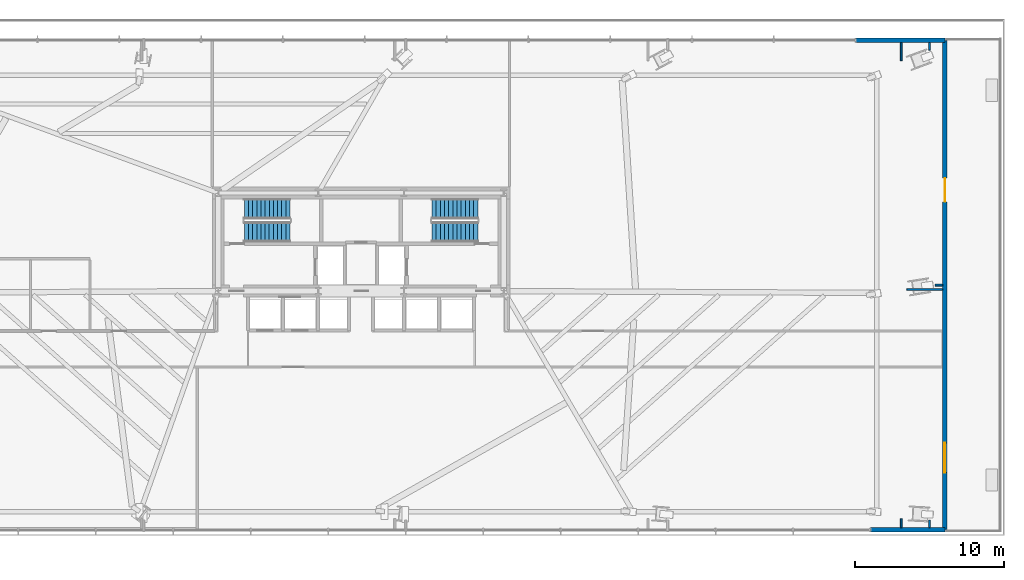
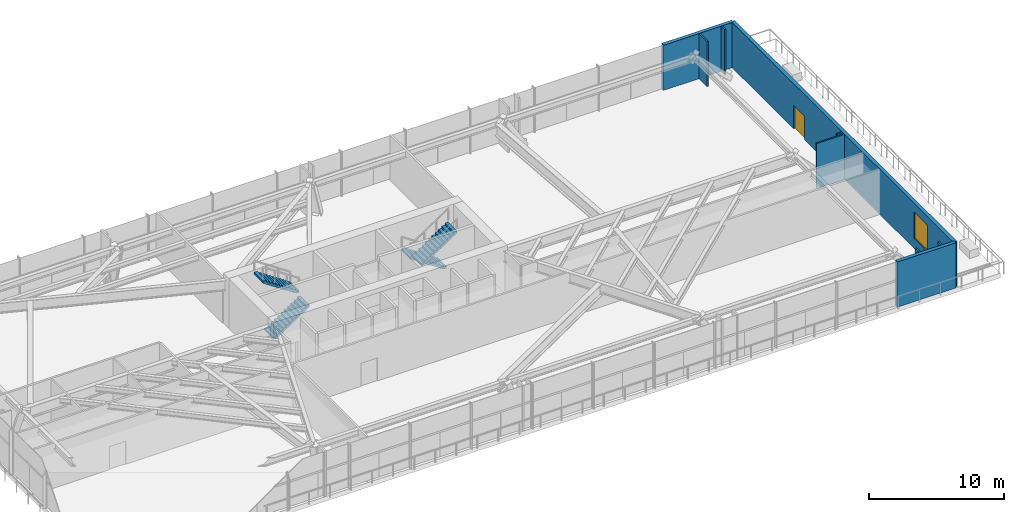
# One storey, part 27 of 33: 9 walls, 4 stair flights, 1 door, 1 window, 2 openings, 2 elements without a shape of their own.
"""IFC4 building model written with IfcOpenShell, lengths in metres."""

import ifcopenshell
import ifcopenshell.guid

model = None  # the IFC model being written
_history = None  # IfcOwnerHistory: only IFC2X3 demands one
_inside = {}  # id of a spatial element -> (the spatial element, [elements in it])
_under = {}  # id of a project, library or spatial element -> (it, [spatial elements below it])
_declared = {}  # id of a project -> (the project, [libraries it declares])
_typed = {}  # id of a type object -> (the type object, [elements of that type])
_made_of = {}  # id of a material, layer set ... -> (it, [elements and type objects made of it])


def new_model(schema):
    """Start an empty IFC model of exactly this schema.

    Asked for "IFC4X3", IfcOpenShell would pick the latest addendum, in which some entities
    have other attributes; the version numbers below select the first issue.
    IFC2X3 requires an IfcOwnerHistory on every rooted entity: one is made here for all.
    """
    global model, _history
    if schema == "IFC4X3":
        model = ifcopenshell.file(schema_version=(4, 3, 0, 0))
    else:
        model = ifcopenshell.file(schema=schema)
    _inside.clear()
    _under.clear()
    _declared.clear()
    _typed.clear()
    _made_of.clear()
    _history = None
    if model.schema == "IFC2X3":
        org = make("IfcOrganization", Name="unknown")
        user = make(
            "IfcPersonAndOrganization",
            ThePerson=make("IfcPerson", FamilyName="unknown"),
            TheOrganization=org,
        )
        app = make(
            "IfcApplication",
            ApplicationDeveloper=org,
            Version="unknown",
            ApplicationFullName="unknown",
            ApplicationIdentifier="unknown",
        )
        _history = make(
            "IfcOwnerHistory",
            OwningUser=user,
            OwningApplication=app,
            ChangeAction="ADDED",
            CreationDate=0,
        )
    return model


def make(cls, **values):
    """One entity of the class cls with the attributes given. An attribute that is None is left unset."""
    return model.create_entity(
        cls, **{name: value for name, value in values.items() if value is not None}
    )


def rooted(cls, **values):
    """An entity with a GlobalId (a new one), such as an element, a storey or a relation."""
    return make(cls, GlobalId=ifcopenshell.guid.new(), OwnerHistory=_history, **values)


def si_unit(unit_type, name, prefix=None):
    """IfcSIUnit, for example si_unit("LENGTHUNIT", "METRE", prefix="MILLI")."""
    return make("IfcSIUnit", UnitType=unit_type, Prefix=prefix, Name=name)


def assignment(units):
    """IfcUnitAssignment: the units of a project."""
    return None if units is None else make("IfcUnitAssignment", Units=units)


def point(xyz):
    """IfcCartesianPoint."""
    return None if xyz is None else make("IfcCartesianPoint", Coordinates=xyz)


def direction(xyz):
    """IfcDirection."""
    return None if xyz is None else make("IfcDirection", DirectionRatios=xyz)


def frame(location, z_axis=None, x_axis=None):
    """IfcAxis2Placement3D, a coordinate frame: its origin and axes. An axis left out is left unset."""
    return make(
        "IfcAxis2Placement3D",
        Location=point(location),
        Axis=direction(z_axis),
        RefDirection=direction(x_axis),
    )


def frame_2d(location, x_axis=None):
    """IfcAxis2Placement2D, a coordinate frame in the plane: its origin and x axis."""
    return make(
        "IfcAxis2Placement2D", Location=point(location), RefDirection=direction(x_axis)
    )


def origin():
    """The frame at (0, 0, 0) with its axes left unset."""
    return frame((0.0, 0.0, 0.0))


def place(relative_to, where):
    """IfcLocalPlacement: puts the frame where relative to a parent placement (None: the world)."""
    return make(
        "IfcLocalPlacement", PlacementRelTo=relative_to, RelativePlacement=where
    )


def context(
    kind, dimensions, precision=None, world=None, true_north=None, identifier=None
):
    """IfcGeometricRepresentationContext, for example the 3D "Model" context."""
    return make(
        "IfcGeometricRepresentationContext",
        ContextIdentifier=identifier,
        ContextType=kind,
        CoordinateSpaceDimension=dimensions,
        Precision=precision,
        WorldCoordinateSystem=world,
        TrueNorth=true_north,
    )


def subcontext(parent, identifier, kind, view, scale=None):
    """IfcGeometricRepresentationSubContext, for example "Body" below "Model"."""
    return make(
        "IfcGeometricRepresentationSubContext",
        ContextIdentifier=identifier,
        ContextType=kind,
        ParentContext=parent,
        TargetScale=scale,
        TargetView=view,
    )


def project(units=None, contexts=None):
    """IfcProject with its units and contexts."""
    return rooted(
        "IfcProject",
        Name="project",
        RepresentationContexts=contexts,
        UnitsInContext=assignment(units),
    )


def spatial(cls, under=None, at=None, **own):
    """A site, building, storey or space (cls), placed at a placement, below another one or the project."""
    s = rooted(cls, ObjectPlacement=at, **own)
    if under is not None:
        _under.setdefault(under.id(), (under, []))[1].append(s)
    return s


def polyline(points):
    """IfcPolyline through the points."""
    return make("IfcPolyline", Points=[point(p) for p in points])


def profile(cls, at=None, kind="AREA", **sizes):
    """A parametric profile (cls). Its sizes go by their IFC names, for example OverallWidth=200.0."""
    return make(cls, ProfileType=kind, Position=at, **sizes)


def rectangle(**sizes):
    """IfcRectangleProfileDef."""
    return profile("IfcRectangleProfileDef", **sizes)


def outline(outer, holes=None, kind="AREA"):
    """IfcArbitraryClosedProfileDef: a profile drawn as a closed curve; with holes, ...WithVoids."""
    if holes is None:
        return make("IfcArbitraryClosedProfileDef", ProfileType=kind, OuterCurve=outer)
    return make(
        "IfcArbitraryProfileDefWithVoids",
        ProfileType=kind,
        OuterCurve=outer,
        InnerCurves=holes,
    )


def extrude(swept, where, along, depth):
    """IfcExtrudedAreaSolid: the profile swept, set in the frame where, extruded along a direction by depth."""
    return make(
        "IfcExtrudedAreaSolid",
        SweptArea=swept,
        Position=where,
        ExtrudedDirection=direction(along),
        Depth=depth,
    )


def shape(context_of_items, identifier, shape_type, items):
    """IfcShapeRepresentation: the items that make up one representation, for example the "Body"."""
    return make(
        "IfcShapeRepresentation",
        ContextOfItems=context_of_items,
        RepresentationIdentifier=identifier,
        RepresentationType=shape_type,
        Items=items,
    )


def source(mapping_origin, context_of_items, identifier, shape_type, items):
    """IfcRepresentationMap: a shape defined once, which mapped items show again and again."""
    return make(
        "IfcRepresentationMap",
        MappingOrigin=mapping_origin,
        MappedRepresentation=shape(context_of_items, identifier, shape_type, items),
    )


def transform(
    local_origin,
    x_axis=None,
    y_axis=None,
    z_axis=None,
    scale=None,
    scale2=None,
    scale3=None,
    uniform=True,
):
    """IfcCartesianTransformationOperator3D, or its non-uniform kind. x_axis, y_axis, z_axis: its Axis1, 2, 3."""
    if uniform:
        return make(
            "IfcCartesianTransformationOperator3D",
            Axis1=direction(x_axis),
            Axis2=direction(y_axis),
            LocalOrigin=point(local_origin),
            Scale=scale,
            Axis3=direction(z_axis),
        )
    return make(
        "IfcCartesianTransformationOperator3DnonUniform",
        Axis1=direction(x_axis),
        Axis2=direction(y_axis),
        LocalOrigin=point(local_origin),
        Scale=scale,
        Axis3=direction(z_axis),
        Scale2=scale2,
        Scale3=scale3,
    )


def mapped(mapping_source, mapping_target):
    """IfcMappedItem: shows the shape of a source again, moved by a transform."""
    return make(
        "IfcMappedItem", MappingSource=mapping_source, MappingTarget=mapping_target
    )


def material(Name=None, Category=None):
    """IfcMaterial."""
    return make("IfcMaterial", Name=Name, Category=Category)


def layer(
    of_material, thickness, ventilated=None, Name=None, Category=None, Priority=None
):
    """IfcMaterialLayer: one layer of a wall or slab, of a material (None: an air gap)."""
    return make(
        "IfcMaterialLayer",
        Material=of_material,
        LayerThickness=thickness,
        IsVentilated=ventilated,
        Name=Name,
        Category=Category,
        Priority=Priority,
    )


def layer_set(layers, Name=None):
    """IfcMaterialLayerSet."""
    return make("IfcMaterialLayerSet", MaterialLayers=layers, LayerSetName=Name)


def made_of(thing, what):
    """Note that an element or type object is made of a material, layer set ...; save() writes the relation."""
    if what is not None:
        _made_of.setdefault(what.id(), (what, []))[1].append(thing)
    return thing


def type_object(cls, material=None, **own):
    """A type object (cls), such as IfcWallType, which elements share."""
    return made_of(rooted(cls, **own), material)


def type_shapes(of_type, sources):
    """Give a type object the sources (RepresentationMaps) that its elements show as mapped items."""
    of_type.RepresentationMaps = sources


def element(
    cls,
    number,
    at=None,
    inside=None,
    cuts=None,
    type_object=None,
    material=None,
    context=None,
    identifier="Body",
    shape_type=None,
    held_by="IfcProductDefinitionShape",
    body=None,
    shapes=None,
    **own,
):
    """One element of the class cls, such as IfcWall. Its Tag is "e" and its number.

    at: its placement. inside: the storey or other place that contains it. cuts: it is an
    opening in that element (IfcRelVoidsElement). A single representation is given by context,
    identifier, shape_type and body (its items); several are given by shapes. held_by: the class
    of the entity that holds the representations. save() writes the other relations.
    """
    e = rooted(cls, Tag="e%d" % number, ObjectPlacement=at, **own)
    if body is not None:
        shapes = [shape(context, identifier, shape_type, body)]
    if shapes is not None:
        e.Representation = make(held_by, Representations=shapes)
    if inside is not None:
        _inside.setdefault(inside.id(), (inside, []))[1].append(e)
    if cuts is not None:
        rooted(
            "IfcRelVoidsElement", RelatingBuildingElement=cuts, RelatedOpeningElement=e
        )
    if type_object is not None:
        _typed.setdefault(type_object.id(), (type_object, []))[1].append(e)
    return made_of(e, material)


def fill(opening, filler):
    """IfcRelFillsElement: the door or window that sits in an opening."""
    return rooted(
        "IfcRelFillsElement",
        RelatingOpeningElement=opening,
        RelatedBuildingElement=filler,
    )


def aggregate(whole, parts):
    """IfcRelAggregates: a whole, such as a stair, and the parts it consists of."""
    return rooted("IfcRelAggregates", RelatingObject=whole, RelatedObjects=parts)


def save(model, path):
    """Write the relations noted so far, then the file.

    IfcRelAggregates (storeys below a building ...), IfcRelContainedInSpatialStructure (elements
    in a storey), IfcRelDefinesByType, IfcRelAssociatesMaterial and IfcRelDeclares: one each for
    every whole, place, type object, material and project.
    """
    for whole, parts in _under.values():
        aggregate(whole, parts)
    for where, things in _inside.values():
        rooted(
            "IfcRelContainedInSpatialStructure",
            RelatedElements=things,
            RelatingStructure=where,
        )
    for kind, things in _typed.values():
        rooted("IfcRelDefinesByType", RelatedObjects=things, RelatingType=kind)
    for what, things in _made_of.values():
        rooted("IfcRelAssociatesMaterial", RelatedObjects=things, RelatingMaterial=what)
    for by, libraries in _declared.values():
        rooted("IfcRelDeclares", RelatingContext=by, RelatedDefinitions=libraries)
    model.write(path)


model = new_model("IFC4")

# Units and contexts
model_context = context("Model", 3, precision=1e-05, world=origin(), true_north=direction((0.0, 1.0)))
body_context = subcontext(model_context, "Body", "Model", "MODEL_VIEW")
ifc_project = project(units=[si_unit("LENGTHUNIT", "METRE"), si_unit("AREAUNIT", "SQUARE_METRE"), si_unit("VOLUMEUNIT", "CUBIC_METRE"), si_unit("PLANEANGLEUNIT", "RADIAN"), si_unit("MASSUNIT", "GRAM", prefix="KILO")], contexts=[model_context])

# Site, building, storey
site_placement = place(None, origin())
site = spatial("IfcSite", under=ifc_project, at=site_placement, CompositionType="ELEMENT")
building_placement = place(site_placement, origin())
building = spatial("IfcBuilding", under=site, at=building_placement, Name="Astriad Promenade Condominiums", CompositionType="ELEMENT")
storey_placement = place(building_placement, frame((0.0, 0.0, 9.5)))
storey = spatial("IfcBuildingStorey", under=building, at=storey_placement, Name="L02", CompositionType="ELEMENT", Elevation=9.5)

# Wall
ifc_material_1 = material(Name="Precast concrete C50/60", Category="concrete")
ifc_layer_1 = layer(ifc_material_1, 0.300048828125)
ifc_layer_set_1 = layer_set([ifc_layer_1], Name="Precast concrete C50/60")
wall_type_1 = type_object("IfcWallType", Name="WALL-EXT-POD-300", PredefinedType="STANDARD", material=ifc_layer_set_1)
wall_1_placement = place(storey_placement, frame((69.25, 34.25, 0.0), z_axis=(0.0, 0.0, 1.0), x_axis=(1.0, 0.0, 0.0)))
element("IfcWall", 1, at=wall_1_placement, inside=storey, type_object=wall_type_1, Name="W-EXT-L02-N2", PredefinedType="STANDARD", context=body_context, shape_type="SweptSolid", body=[
    extrude(rectangle(XDim=6.0, YDim=0.300048828125, at=frame_2d((3.0, 0.0))), origin(), (0.0, 0.0, 1.0), 4.080078125),
])

# Wall, openings, window, door
wall_2_placement = place(storey_placement, frame((75.25, 34.25, 0.0), z_axis=(0.0, 0.0, 1.0), x_axis=(0.0, -1.0, 0.0)))
wall_2 = element("IfcWall", 2, at=wall_2_placement, inside=storey, type_object=wall_type_1, Name="W-EXT-L02-E1", PredefinedType="STANDARD", context=body_context, shape_type="SweptSolid", body=[
    extrude(rectangle(XDim=32.89990234375, YDim=0.300048828125, at=frame_2d((16.449951171875, 0.0))), origin(), (0.0, 0.0, 1.0), 4.080078125),
])
opening_1_placement = place(wall_2_placement, frame((9.25, 0.0, 0.0)))
opening_1 = element("IfcOpeningElement", 3, at=opening_1_placement, cuts=wall_2, Name="Opening TD-1622-TER", PredefinedType="OPENING", context=body_context, shape_type="SweptSolid", body=[
    extrude(rectangle(XDim=1.60009765625, YDim=2.10009765625, at=frame_2d((0.800048828125, 1.050048828125))), frame((0.0, 0.159912109375, 0.0), z_axis=(0.0, -1.0, 0.0), x_axis=(1.0, 0.0, 0.0)), (0.0, 0.0, 1.0), 0.320068359375),
])
opening_2_placement = place(wall_2_placement, frame((27.050048828125, 0.0, 0.89990234375)))
opening_2 = element("IfcOpeningElement", 4, at=opening_2_placement, cuts=wall_2, Name="Opening WIN-POD-2024", PredefinedType="OPENING", context=body_context, shape_type="SweptSolid", body=[
    extrude(rectangle(XDim=2.0, YDim=2.39990234375, at=frame_2d((1.0, 1.199951171875))), frame((0.0, 0.159912109375, 0.0), z_axis=(0.0, -1.0, 0.0), x_axis=(1.0, 0.0, 0.0)), (0.0, 0.0, 1.0), 0.320068359375),
])
ifc_material_2 = material(Name="Dark Tinted Storefront Window")
window_type = type_object("IfcWindowType", Name="WIN-POD-2024", PartitioningType="SINGLE_PANEL", PredefinedType="WINDOW", material=ifc_material_2)
shared_shape_1 = source(origin(), body_context, "Body", "SweptSolid", [
    extrude(rectangle(XDim=2.0, YDim=2.39990234375, at=frame_2d((1.0, 1.199951171875))), frame((0.0, 0.030029296875, 0.0), z_axis=(0.0, -1.0, 0.0), x_axis=(1.0, 0.0, 0.0)), (0.0, 0.0, 1.0), 0.06005859375),
])
type_shapes(window_type, [shared_shape_1])
window_placement = place(opening_2_placement, origin())
window = element("IfcWindow", 5, at=window_placement, inside=storey, type_object=window_type, Name="WIN-L02-E1", OverallHeight=2.39990234375, OverallWidth=2.0, PartitioningType="SINGLE_PANEL", PredefinedType="WINDOW", context=body_context, shape_type="MappedRepresentation", body=[
    mapped(shared_shape_1, transform((0.0, 0.0, 0.0), scale=1.0)),
])
fill(opening_2, window)
ifc_material_3 = material(Name="Thermally Broken Aluminium Terrace Double Door", Category="aluminium")
door_type = type_object("IfcDoorType", Name="TD-1622-TER", OperationType="NOTDEFINED", PredefinedType="DOOR", material=ifc_material_3)
shared_shape_2 = source(origin(), body_context, "Body", "SweptSolid", [
    extrude(rectangle(XDim=1.60009765625, YDim=2.10009765625, at=frame_2d((0.800048828125, 1.050048828125))), frame((0.0, 0.02490234375, 0.0), z_axis=(0.0, -1.0, 0.0), x_axis=(1.0, 0.0, 0.0)), (0.0, 0.0, 1.0), 0.050048828125),
])
type_shapes(door_type, [shared_shape_2])
door_placement = place(opening_1_placement, origin())
door = element("IfcDoor", 6, at=door_placement, inside=storey, type_object=door_type, Name="TD-L02", OperationType="DOUBLE_DOOR_SINGLE_SWING", OverallHeight=2.10009765625, OverallWidth=1.60009765625, PredefinedType="DOOR", context=body_context, shape_type="MappedRepresentation", body=[
    mapped(shared_shape_2, transform((0.0, 0.0, 0.0), scale=1.0)),
])
fill(opening_1, door)

# Walls
wall_3_placement = place(storey_placement, frame((75.25, 1.35009765625, 0.0), z_axis=(0.0, 0.0, 1.0), x_axis=(-1.0, 0.0, 0.0)))
element("IfcWall", 7, at=wall_3_placement, inside=storey, type_object=wall_type_1, Name="W-EXT-L02-S1", PredefinedType="STANDARD", context=body_context, shape_type="SweptSolid", body=[
    extrude(rectangle(XDim=5.0, YDim=0.300048828125, at=frame_2d((2.5, 0.0))), origin(), (0.0, 0.0, 1.0), 4.080078125),
])
ifc_material_4 = material(Name="Acoustic Metal-Stud Gypsum Partition")
ifc_layer_2 = layer(ifc_material_4, 0.1201171875)
ifc_layer_set_2 = layer_set([ifc_layer_2], Name="Acoustic Metal-Stud Gypsum Partition")
wall_type_2 = type_object("IfcWallType", Name="WALL-PART-120", PredefinedType="PARTITIONING", material=ifc_layer_set_2)
wall_4_placement = place(storey_placement, frame((72.320068359375, 2.10009765625, 0.0), z_axis=(0.0, 0.0, 1.0), x_axis=(0.0, -1.0, 0.0)))
element("IfcWall", 8, at=wall_4_placement, inside=storey, type_object=wall_type_2, Name="PT-PIL-L02-PC05-12", PredefinedType="PARTITIONING", context=body_context, shape_type="SweptSolid", body=[
    extrude(rectangle(XDim=0.59814453125, YDim=0.1201171875, at=frame_2d((0.299072265625, 0.0))), origin(), (0.0, 0.0, 1.0), 4.080078125),
])
wall_5_placement = place(storey_placement, frame((72.320068359375, 32.89990234375, 0.0), z_axis=(0.0, 0.0, 1.0), x_axis=(0.0, 1.0, 0.0)))
element("IfcWall", 9, at=wall_5_placement, inside=storey, type_object=wall_type_2, Name="PT-PIL-L02-PC10-17", PredefinedType="PARTITIONING", context=body_context, shape_type="SweptSolid", body=[
    extrude(rectangle(XDim=1.197998046875, YDim=0.1201171875, at=frame_2d((0.59912109375, 0.0))), origin(), (0.0, 0.0, 1.0), 4.080078125),
])
wall_6_placement = place(storey_placement, frame((72.699951171875, 17.5, 0.0), z_axis=(0.0, 0.0, 1.0), x_axis=(1.0, 0.0, 0.0)))
element("IfcWall", 10, at=wall_6_placement, inside=storey, type_object=wall_type_2, Name="PT-PIL-L02-PC12-19", PredefinedType="PARTITIONING", context=body_context, shape_type="SweptSolid", body=[
    extrude(rectangle(XDim=2.39794921875, YDim=0.1201171875, at=frame_2d((1.198974609375, 0.0))), origin(), (0.0, 0.0, 1.0), 4.080078125),
])
wall_7_placement = place(storey_placement, frame((74.219970703125, 2.0, 0.0), z_axis=(0.0, 0.0, 1.0), x_axis=(0.0, -1.0, 0.0)))
element("IfcWall", 11, at=wall_7_placement, inside=storey, type_object=wall_type_2, Name="PT-PIL-L02-PC05-24", PredefinedType="PARTITIONING", context=body_context, shape_type="SweptSolid", body=[
    extrude(rectangle(XDim=0.498046875, YDim=0.1201171875, at=frame_2d((0.2490234375, 0.0))), origin(), (0.0, 0.0, 1.0), 4.080078125),
])
for number, where, z_axis, x_axis, name in (
    (12, (74.219970703125, 33.60009765625, 0.0), (0.0, 0.0, 1.0), (0.0, 1.0, 0.0), "PT-PIL-L02-PC10-29"),
    (13, (74.60009765625, 17.800048828125, 0.0), (0.0, 0.0, 1.0), (1.0, 0.0, 0.0), "PT-PIL-L02-PC12-31"),
):
    element("IfcWall", number, at=place(storey_placement, frame(where, z_axis=z_axis, x_axis=x_axis)), inside=storey, type_object=wall_type_2, Name=name, PredefinedType="PARTITIONING", context=body_context, shape_type="SweptSolid", body=[
        extrude(rectangle(XDim=0.497802734375, YDim=0.1201171875, at=frame_2d((0.2490234375, 0.0))), origin(), (0.0, 0.0, 1.0), 4.080078125),
    ])

# Stair, stair flights
ifc_material_5 = material(Name="Concrete C50/60", Category="concrete")
stair_type = type_object("IfcStairType", Name="STR-CORE-1350", PredefinedType="HALF_TURN_STAIR", material=ifc_material_5)
stair_1_placement = place(storey_placement, origin())
stair_1 = element("IfcStair", 14, at=stair_1_placement, inside=storey, type_object=stair_type, Name="L02 Enclosed Core Exit Stair ST-1", PredefinedType="HALF_TURN_STAIR")
stair_flight_type = type_object("IfcStairFlightType", Name="SFL-CORE-1350", PredefinedType="STRAIGHT", material=ifc_material_5)
shared_shape_3 = source(origin(), body_context, "Body", "SweptSolid", [
    extrude(outline(polyline([(0.0, 0.0), (0.0, 0.1875), (0.280029296875, 0.1875), (0.280029296875, 0.375), (0.56005859375, 0.375), (0.56005859375, 0.5625), (0.840087890625, 0.5625), (0.840087890625, 0.75), (1.1201171875, 0.75), (1.1201171875, 0.9375), (1.39990234375, 0.9375), (1.39990234375, 1.125), (1.679931640625, 1.125), (1.679931640625, 1.3125), (1.9599609375, 1.3125), (1.9599609375, 1.5), (2.239990234375, 1.5), (2.239990234375, 1.6875), (2.52001953125, 1.6875), (2.52001953125, 1.875), (2.800048828125, 1.875), (2.800048828125, 2.0625), (3.080078125, 2.0625), (3.080078125, 2.25), (3.080078125, 1.882080078125), (0.26953125, 0.0), (0.0, 0.0)])), frame((0.0, 0.675048828125, 0.0), z_axis=(0.0, -1.0, 0.0), x_axis=(1.0, 0.0, 0.0)), (0.0, 0.0, 1.0), 1.35009765625),
])
type_shapes(stair_flight_type, [shared_shape_3])
stair_flight_1_placement = place(storey_placement, frame((28.14990234375, 21.375, 0.0), z_axis=(0.0, 0.0, 1.0), x_axis=(1.0, 0.0, 0.0)))
stair_flight_1 = element("IfcStairFlight", 15, at=stair_flight_1_placement, type_object=stair_flight_type, Name="ST-1 flight 1", NumberOfRisers=12, NumberOfTreads=11, PredefinedType="STRAIGHT", RiserHeight=0.1875, TreadLength=0.28, context=body_context, shape_type="MappedRepresentation", body=[
    mapped(shared_shape_3, transform((0.0, 0.0, 0.0), scale=1.0)),
])
stair_flight_2_placement = place(storey_placement, frame((31.22998046875, 22.925048828125, 2.25), z_axis=(0.0, 0.0, 1.0), x_axis=(-1.0, 0.0, 0.0)))
stair_flight_2 = element("IfcStairFlight", 16, at=stair_flight_2_placement, type_object=stair_flight_type, Name="ST-1 flight 2", NumberOfRisers=12, NumberOfTreads=11, PredefinedType="STRAIGHT", RiserHeight=0.1875, TreadLength=0.28, context=body_context, shape_type="MappedRepresentation", body=[
    mapped(shared_shape_3, transform((0.0, 0.0, 0.0), scale=1.0)),
])
aggregate(stair_1, [stair_flight_1, stair_flight_2])

stair_2_placement = place(storey_placement, origin())
stair_2 = element("IfcStair", 17, at=stair_2_placement, inside=storey, type_object=stair_type, Name="L02 Enclosed Core Exit Stair ST-2", PredefinedType="HALF_TURN_STAIR")
stair_flight_3_placement = place(storey_placement, frame((43.85009765625, 22.925048828125, 0.0), z_axis=(0.0, 0.0, 1.0), x_axis=(-1.0, 0.0, 0.0)))
stair_flight_3 = element("IfcStairFlight", 18, at=stair_flight_3_placement, type_object=stair_flight_type, Name="ST-2 flight 1", NumberOfRisers=12, NumberOfTreads=11, PredefinedType="STRAIGHT", RiserHeight=0.1875, TreadLength=0.28, context=body_context, shape_type="MappedRepresentation", body=[
    mapped(shared_shape_3, transform((0.0, 0.0, 0.0), scale=1.0)),
])
stair_flight_4_placement = place(storey_placement, frame((40.77001953125, 21.375, 2.25), z_axis=(0.0, 0.0, 1.0), x_axis=(1.0, 0.0, 0.0)))
stair_flight_4 = element("IfcStairFlight", 19, at=stair_flight_4_placement, type_object=stair_flight_type, Name="ST-2 flight 2", NumberOfRisers=12, NumberOfTreads=11, PredefinedType="STRAIGHT", RiserHeight=0.1875, TreadLength=0.28, context=body_context, shape_type="MappedRepresentation", body=[
    mapped(shared_shape_3, transform((0.0, 0.0, 0.0), scale=1.0)),
])
aggregate(stair_2, [stair_flight_3, stair_flight_4])

save(model, "model.ifc")
